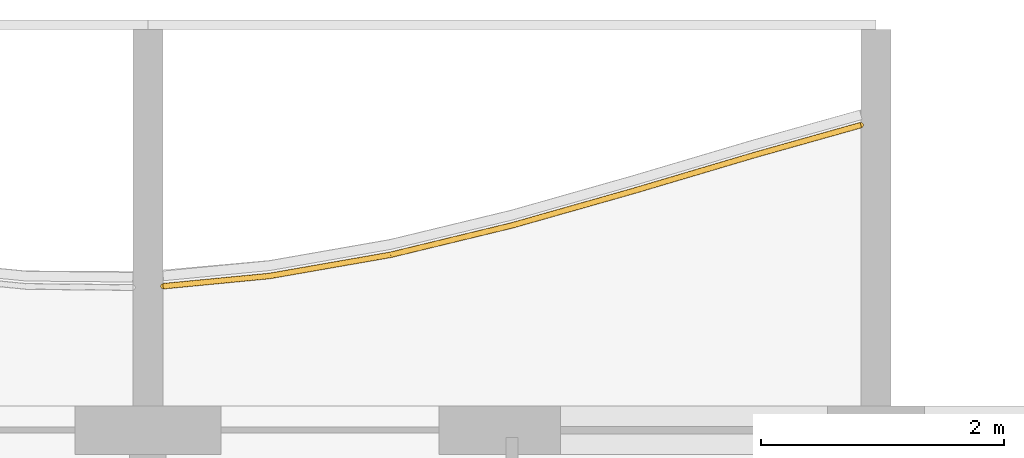
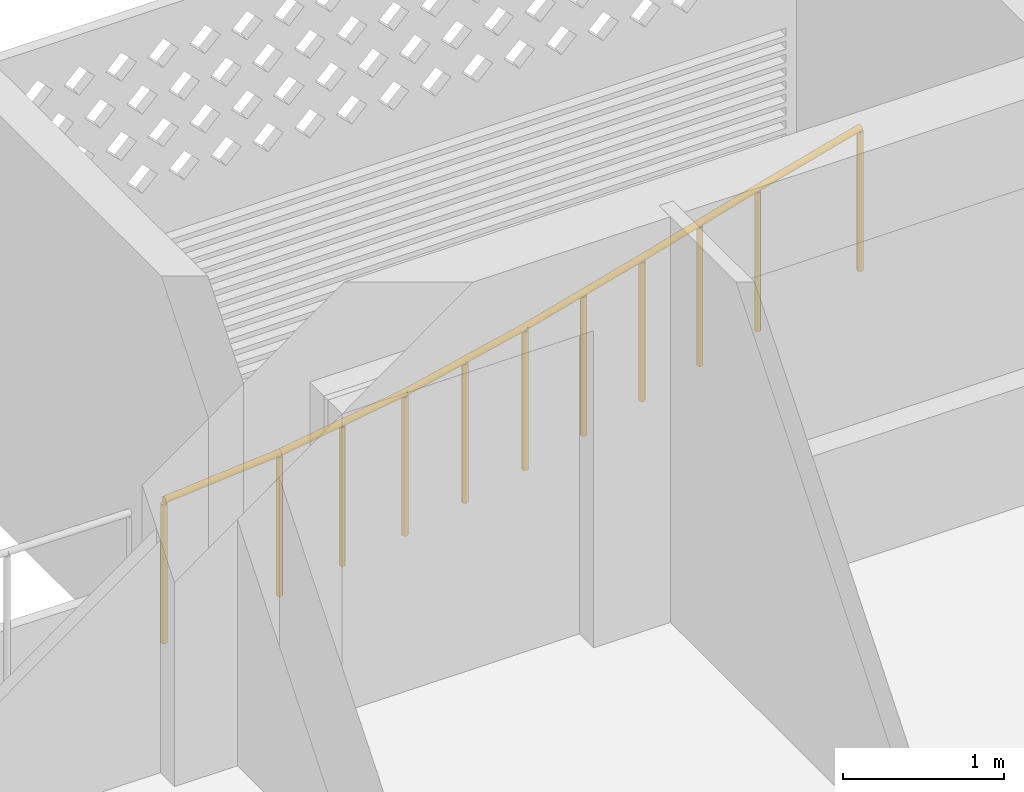
# One storey, part 29 of 32: 1 railing.
"""IFC4 building model written with IfcOpenShell, lengths in metres."""

from ifc_helpers import new_model, si_unit, direction, frame, origin, origin_2d, place, context, subcontext, project, spatial, circle, extrude, material, type_object, element, save


model = new_model("IFC4")

# Units and contexts
model_context = context("Model", 3, precision=1e-05, world=origin(), true_north=direction((0.0, 1.0)))
body_context = subcontext(model_context, "Body", "Model", "MODEL_VIEW")
ifc_project = project(units=[si_unit("LENGTHUNIT", "METRE"), si_unit("AREAUNIT", "SQUARE_METRE"), si_unit("VOLUMEUNIT", "CUBIC_METRE"), si_unit("PLANEANGLEUNIT", "RADIAN"), si_unit("MASSUNIT", "GRAM", prefix="KILO")], contexts=[model_context])

# Site, building, storey
site_placement = place(None, origin())
site = spatial("IfcSite", under=ifc_project, at=site_placement, CompositionType="ELEMENT")
building_placement = place(site_placement, origin())
building = spatial("IfcBuilding", under=site, at=building_placement, Name="Poui Terraces", CompositionType="ELEMENT")
storey_placement = place(building_placement, frame((0.0, 0.0, 129.0)))
storey = spatial("IfcBuildingStorey", under=building, at=storey_placement, Name="L35", CompositionType="ELEMENT", Elevation=129.0)

# Railing
ifc_material = material(Name="Painted steel fretwork", Category="steel")
railing_type = type_object("IfcRailingType", Name="BALCONY GUARD 1100", PredefinedType="GUARDRAIL", material=ifc_material)
railing_placement = place(storey_placement, frame((66.125, 43.586181640625, 0.0)))
element("IfcRailing", 1, at=railing_placement, inside=storey, type_object=railing_type, Name="BALCONY GUARD", PredefinedType="GUARDRAIL", context=body_context, shape_type="SweptSolid", body=[
    extrude(circle(Radius=0.02392578125, at=origin_2d()), frame((0.0, 0.0, 1.076171875), z_axis=(0.995398846337, 0.095818248322, 0.0), x_axis=(-0.095818248322, 0.995398846337, 0.0)), (0.0, 0.0, 1.0), 0.879150390625),
    extrude(circle(Radius=0.02392578125, at=origin_2d()), frame((0.875, 0.084228515625, 1.076171875), z_axis=(0.985063118138, 0.172193650534, 0.0), x_axis=(-0.172193650534, 0.985063118138, 0.0)), (0.0, 0.0, 1.0), 1.01513671875),
    extrude(circle(Radius=0.02392578125, at=origin_2d()), frame((1.875, 0.259033203125, 1.076171875), z_axis=(0.971902764759, 0.23538270084, 0.0), x_axis=(-0.23538270084, 0.971902764759, 0.0)), (0.0, 0.0, 1.0), 1.02880859375),
    extrude(circle(Radius=0.02392578125, at=origin_2d()), frame((2.875, 0.501220703125, 1.076171875), z_axis=(0.962036324093, 0.272921437645, 0.0), x_axis=(-0.272921437645, 0.962036324093, 0.0)), (0.0, 0.0, 1.0), 1.03955078125),
    extrude(circle(Radius=0.02392578125, at=origin_2d()), frame((3.875, 0.784912109375, 1.076171875), z_axis=(0.958710700624, 0.284383179018, 0.0), x_axis=(-0.284383179018, 0.958710700624, 0.0)), (0.0, 0.0, 1.0), 1.04296875),
    extrude(circle(Radius=0.02392578125, at=origin_2d()), frame((4.875, 1.08154296875, 1.076171875), z_axis=(0.962650940154, 0.270745576918, 0.0), x_axis=(-0.270745576918, 0.962650940154, 0.0)), (0.0, 0.0, 1.0), 0.908935546875),
    extrude(circle(Radius=0.02099609375, at=origin_2d()), origin(), (0.0, 0.0, 1.0), 1.052001953125),
    extrude(circle(Radius=0.02099609375, at=origin_2d()), frame((0.875, 0.084228515625, 0.0)), (0.0, 0.0, 1.0), 1.052001953125),
    extrude(circle(Radius=0.02099609375, at=origin_2d()), frame((1.375, 0.171630859375, 0.0)), (0.0, 0.0, 1.0), 1.052001953125),
    extrude(circle(Radius=0.02099609375, at=origin_2d()), frame((1.875, 0.259033203125, 0.0)), (0.0, 0.0, 1.0), 1.052001953125),
    extrude(circle(Radius=0.02099609375, at=origin_2d()), frame((2.375, 0.380126953125, 0.0)), (0.0, 0.0, 1.0), 1.052001953125),
    extrude(circle(Radius=0.02099609375, at=origin_2d()), frame((2.875, 0.501220703125, 0.0)), (0.0, 0.0, 1.0), 1.052001953125),
    extrude(circle(Radius=0.02099609375, at=origin_2d()), frame((3.375, 0.64306640625, 0.0)), (0.0, 0.0, 1.0), 1.052001953125),
    extrude(circle(Radius=0.02099609375, at=origin_2d()), frame((3.875, 0.784912109375, 0.0)), (0.0, 0.0, 1.0), 1.052001953125),
    extrude(circle(Radius=0.02099609375, at=origin_2d()), frame((4.375, 0.93310546875, 0.0)), (0.0, 0.0, 1.0), 1.052001953125),
    extrude(circle(Radius=0.02099609375, at=origin_2d()), frame((4.875, 1.08154296875, 0.0)), (0.0, 0.0, 1.0), 1.052001953125),
    extrude(circle(Radius=0.02099609375, at=origin_2d()), frame((5.75, 1.32763671875, 0.0)), (0.0, 0.0, 1.0), 1.052001953125),
])

save(model, "model.ifc")
